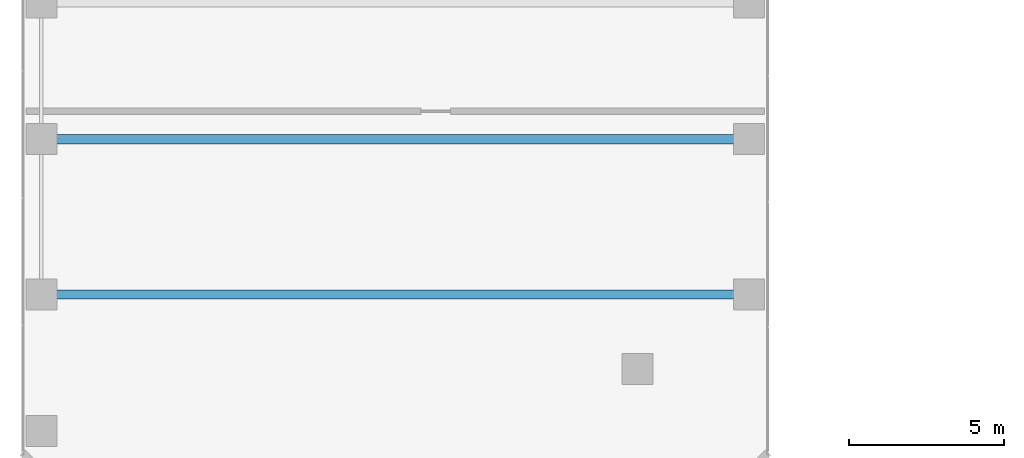
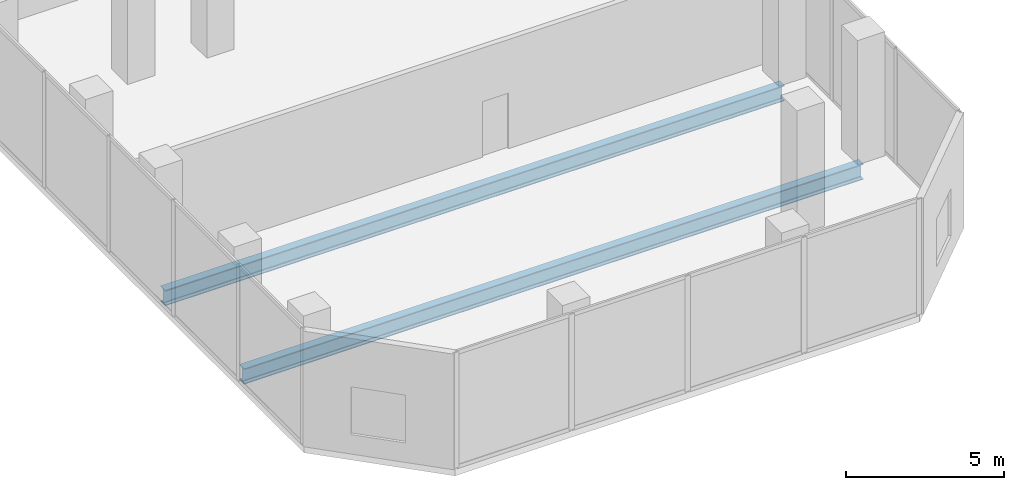
# One storey, part 4 of 24: 2 beams.
"""IFC4 building model written with IfcOpenShell, lengths in metres."""

from ifc_helpers import new_model, si_unit, direction, frame, origin, origin_2d, place, context, subcontext, project, spatial, i_section, extrude, material, material_profile, profile_set, type_object, element, save


model = new_model("IFC4")

# Units and contexts
model_context = context("Model", 3, precision=1e-05, world=origin(), true_north=direction((0.0, 1.0)))
body_context = subcontext(model_context, "Body", "Model", "MODEL_VIEW")
ifc_project = project(units=[si_unit("LENGTHUNIT", "METRE"), si_unit("AREAUNIT", "SQUARE_METRE"), si_unit("VOLUMEUNIT", "CUBIC_METRE"), si_unit("PLANEANGLEUNIT", "RADIAN"), si_unit("MASSUNIT", "GRAM", prefix="KILO")], contexts=[model_context])

# Site, building, storey
site_placement = place(None, origin())
site = spatial("IfcSite", under=ifc_project, at=site_placement, CompositionType="ELEMENT")
building_placement = place(site_placement, origin())
building = spatial("IfcBuilding", under=site, at=building_placement, Name="Catumbela Crestline Tower", CompositionType="ELEMENT")
storey_placement = place(building_placement, frame((0.0, 0.0, 11.1)))
storey = spatial("IfcBuildingStorey", under=building, at=storey_placement, Name="L02", CompositionType="ELEMENT", Elevation=11.1)

# Beams
ifc_material = material(Name="Structural steel S355J2", Category="steel")
ifc_material_profile = material_profile(ifc_material, i_section(OverallWidth=0.3, OverallDepth=0.6, WebThickness=0.0155, FlangeThickness=0.03, FilletRadius=0.027, at=origin_2d()), Name="HEB 600")
ifc_profile_set = profile_set([ifc_material_profile], Name="Structural steel S355J2")
beam_type = type_object("IfcBeamType", Name="BG-HEB600", PredefinedType="BEAM", material=ifc_profile_set)
for number, where, z_axis, x_axis, name in (
    (1, (0.68, 8.6, -0.62), (1.0, 0.0, 0.0), (0.0, 1.0, 0.0), "L02 Beam BM-L02-BLR43"),
    (2, (0.68, 13.6, -0.62), (1.0, 0.0, 0.0), (0.0, 1.0, 0.0), "L02 Beam BM-L02-BLR44"),
):
    element("IfcBeam", number, at=place(storey_placement, frame(where, z_axis=z_axis, x_axis=x_axis)), inside=storey, type_object=beam_type, Name=name, PredefinedType="BEAM", context=body_context, shape_type="SweptSolid", body=[
        extrude(i_section(OverallWidth=0.3, OverallDepth=0.6, WebThickness=0.0155, FlangeThickness=0.03, FilletRadius=0.027, at=origin_2d()), origin(), (0.0, 0.0, 1.0), 22.64),
    ])

save(model, "model.ifc")
